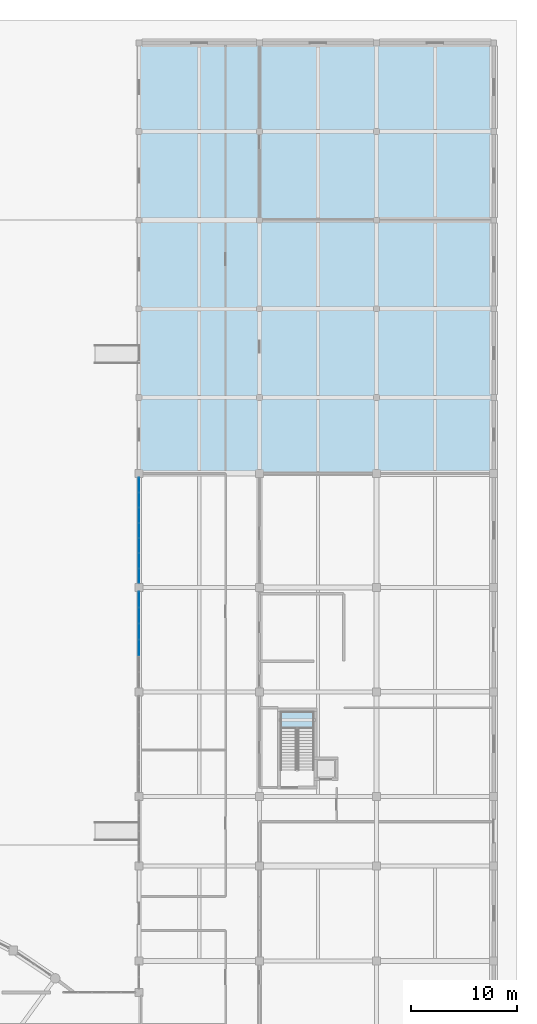
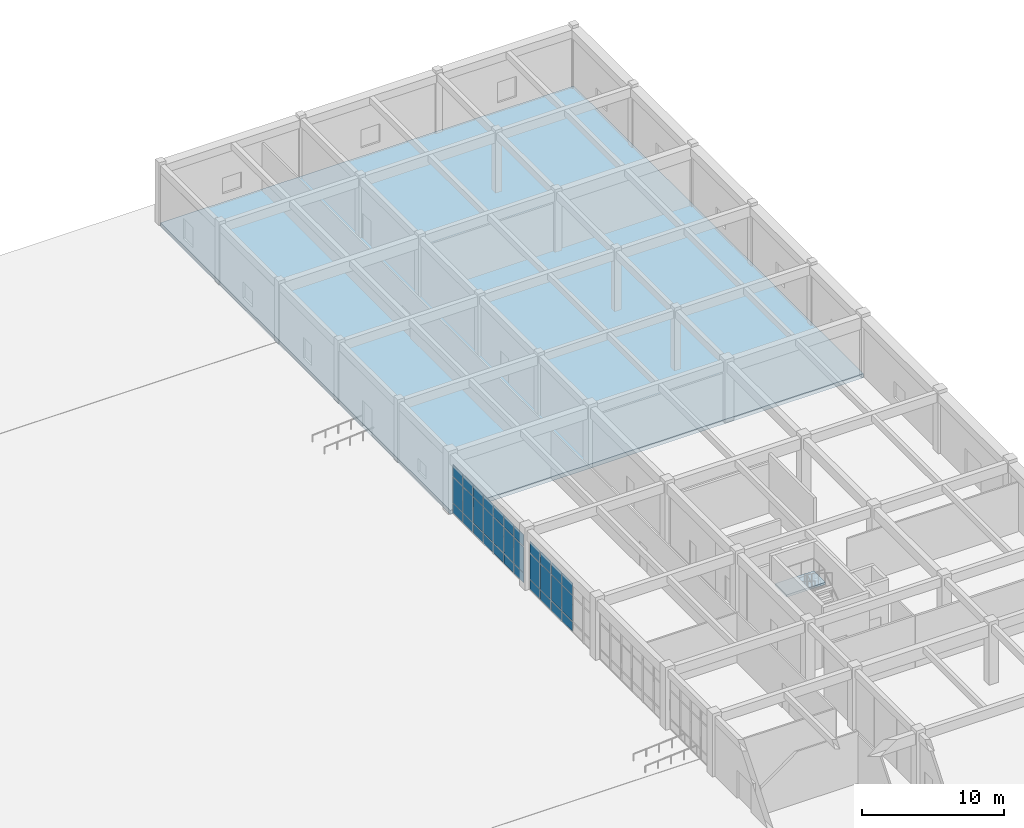
# One storey, part 46 of 70: 33 plates, 2 slabs, 3 elements without a shape of their own.
"""IFC4 building model written with IfcOpenShell, lengths in metres."""

from ifc_helpers import new_model, si_unit, direction, frame, origin, origin_2d, place, context, subcontext, project, spatial, polyline, rectangle, outline, extrude, material, layer, layer_set, type_object, element, aggregate, save


model = new_model("IFC4")

# Units and contexts
model_context = context("Model", 3, precision=1e-05, world=origin(), true_north=direction((0.0, 1.0)))
body_context = subcontext(model_context, "Body", "Model", "MODEL_VIEW")
ifc_project = project(units=[si_unit("LENGTHUNIT", "METRE"), si_unit("AREAUNIT", "SQUARE_METRE"), si_unit("VOLUMEUNIT", "CUBIC_METRE"), si_unit("PLANEANGLEUNIT", "RADIAN"), si_unit("MASSUNIT", "GRAM", prefix="KILO")], contexts=[model_context])

# Site, building, storey
site_placement = place(None, origin())
site = spatial("IfcSite", under=ifc_project, at=site_placement, CompositionType="ELEMENT")
building_placement = place(site_placement, origin())
building = spatial("IfcBuilding", under=site, at=building_placement, Name="Miralva Faculty of Natural Sciences", CompositionType="ELEMENT")
storey_placement = place(building_placement, origin())
storey = spatial("IfcBuildingStorey", under=building, at=storey_placement, Name="L00", CompositionType="ELEMENT", Elevation=0.0)

# Curtain wall, plates
ifc_material_1 = material(Name="Laminated solar-control glass", Category="glass")
ifc_layer_1 = layer(ifc_material_1, 0.179931640625, Name="CW-COM-L00")
ifc_layer_set_1 = layer_set([ifc_layer_1], Name="Laminated solar-control glass")
curtain_wall_type = type_object("IfcCurtainWallType", Name="CW-COM-L00", PredefinedType="USERDEFINED", material=ifc_layer_set_1)
curtain_wall_1_placement = place(storey_placement, origin())
curtain_wall_1 = element("IfcCurtainWall", 1, at=curtain_wall_1_placement, inside=storey, type_object=curtain_wall_type, Name="Curtain wall CW-09 L00-259", ObjectType="UNITISED CURTAIN WALL", PredefinedType="USERDEFINED")
ifc_layer_2 = layer(ifc_material_1, 0.028076171875, Name="PNL-P01")
ifc_layer_set_2 = layer_set([ifc_layer_2], Name="Laminated solar-control glass")
plate_type = type_object("IfcPlateType", Name="PNL-P01", PredefinedType="CURTAIN_PANEL", material=ifc_layer_set_2)
plate_1_placement = place(storey_placement, frame((133.800048828125, 59.685791015625, 0.06005859375), z_axis=(0.0, 0.0, 1.0), x_axis=(0.0, 1.0, 0.0)))
plate_1 = element("IfcPlate", 2, at=plate_1_placement, type_object=plate_type, Name="CW-09 panel 3.1", PredefinedType="CURTAIN_PANEL", context=body_context, shape_type="SweptSolid", body=[
    extrude(rectangle(XDim=1.46826171875, YDim=0.028076171875, at=origin_2d()), origin(), (0.0, 0.0, 1.0), 0.81005859375),
])
plate_2_placement = place(storey_placement, frame((133.800048828125, 59.685791015625, 0.929931640625), z_axis=(0.0, 0.0, 1.0), x_axis=(0.0, 1.0, 0.0)))
plate_2 = element("IfcPlate", 3, at=plate_2_placement, type_object=plate_type, Name="CW-09 panel 3.2", PredefinedType="CURTAIN_PANEL", context=body_context, shape_type="SweptSolid", body=[
    extrude(rectangle(XDim=1.46826171875, YDim=0.028076171875, at=origin_2d()), origin(), (0.0, 0.0, 1.0), 2.205078125),
])
plate_3_placement = place(storey_placement, frame((133.800048828125, 59.685791015625, 3.19482421875), z_axis=(0.0, 0.0, 1.0), x_axis=(0.0, 1.0, 0.0)))
plate_3 = element("IfcPlate", 4, at=plate_3_placement, type_object=plate_type, Name="CW-09 panel 3.3", PredefinedType="CURTAIN_PANEL", context=body_context, shape_type="SweptSolid", body=[
    extrude(rectangle(XDim=1.46826171875, YDim=0.028076171875, at=origin_2d()), origin(), (0.0, 0.0, 1.0), 1.010009765625),
])
plate_4_placement = place(storey_placement, frame((133.800048828125, 61.214111328125, 0.06005859375), z_axis=(0.0, 0.0, 1.0), x_axis=(0.0, 1.0, 0.0)))
plate_4 = element("IfcPlate", 5, at=plate_4_placement, type_object=plate_type, Name="CW-09 panel 4.1", PredefinedType="CURTAIN_PANEL", context=body_context, shape_type="SweptSolid", body=[
    extrude(rectangle(XDim=1.46826171875, YDim=0.028076171875, at=origin_2d()), origin(), (0.0, 0.0, 1.0), 0.81005859375),
])
plate_5_placement = place(storey_placement, frame((133.800048828125, 61.214111328125, 0.929931640625), z_axis=(0.0, 0.0, 1.0), x_axis=(0.0, 1.0, 0.0)))
plate_5 = element("IfcPlate", 6, at=plate_5_placement, type_object=plate_type, Name="CW-09 panel 4.2", PredefinedType="CURTAIN_PANEL", context=body_context, shape_type="SweptSolid", body=[
    extrude(rectangle(XDim=1.46826171875, YDim=0.028076171875, at=origin_2d()), origin(), (0.0, 0.0, 1.0), 2.205078125),
])
plate_6_placement = place(storey_placement, frame((133.800048828125, 61.214111328125, 3.19482421875), z_axis=(0.0, 0.0, 1.0), x_axis=(0.0, 1.0, 0.0)))
plate_6 = element("IfcPlate", 7, at=plate_6_placement, type_object=plate_type, Name="CW-09 panel 4.3", PredefinedType="CURTAIN_PANEL", context=body_context, shape_type="SweptSolid", body=[
    extrude(rectangle(XDim=1.46826171875, YDim=0.028076171875, at=origin_2d()), origin(), (0.0, 0.0, 1.0), 1.010009765625),
])
plate_7_placement = place(storey_placement, frame((133.800048828125, 62.742431640625, 0.06005859375), z_axis=(0.0, 0.0, 1.0), x_axis=(0.0, 1.0, 0.0)))
plate_7 = element("IfcPlate", 8, at=plate_7_placement, type_object=plate_type, Name="CW-09 panel 5.1", PredefinedType="CURTAIN_PANEL", context=body_context, shape_type="SweptSolid", body=[
    extrude(rectangle(XDim=1.46826171875, YDim=0.028076171875, at=origin_2d()), origin(), (0.0, 0.0, 1.0), 0.81005859375),
])
plate_8_placement = place(storey_placement, frame((133.800048828125, 62.742431640625, 0.929931640625), z_axis=(0.0, 0.0, 1.0), x_axis=(0.0, 1.0, 0.0)))
plate_8 = element("IfcPlate", 9, at=plate_8_placement, type_object=plate_type, Name="CW-09 panel 5.2", PredefinedType="CURTAIN_PANEL", context=body_context, shape_type="SweptSolid", body=[
    extrude(rectangle(XDim=1.46826171875, YDim=0.028076171875, at=origin_2d()), origin(), (0.0, 0.0, 1.0), 2.205078125),
])
plate_9_placement = place(storey_placement, frame((133.800048828125, 62.742431640625, 3.19482421875), z_axis=(0.0, 0.0, 1.0), x_axis=(0.0, 1.0, 0.0)))
plate_9 = element("IfcPlate", 10, at=plate_9_placement, type_object=plate_type, Name="CW-09 panel 5.3", PredefinedType="CURTAIN_PANEL", context=body_context, shape_type="SweptSolid", body=[
    extrude(rectangle(XDim=1.46826171875, YDim=0.028076171875, at=origin_2d()), origin(), (0.0, 0.0, 1.0), 1.010009765625),
])
plate_10_placement = place(storey_placement, frame((133.800048828125, 64.255859375, 0.06005859375), z_axis=(0.0, 0.0, 1.0), x_axis=(0.0, 1.0, 0.0)))
plate_10 = element("IfcPlate", 11, at=plate_10_placement, type_object=plate_type, Name="CW-09 panel 6.1", PredefinedType="CURTAIN_PANEL", context=body_context, shape_type="SweptSolid", body=[
    extrude(rectangle(XDim=1.438232421875, YDim=0.028076171875, at=origin_2d()), origin(), (0.0, 0.0, 1.0), 0.81005859375),
])
plate_11_placement = place(storey_placement, frame((133.800048828125, 64.255859375, 0.929931640625), z_axis=(0.0, 0.0, 1.0), x_axis=(0.0, 1.0, 0.0)))
plate_11 = element("IfcPlate", 12, at=plate_11_placement, type_object=plate_type, Name="CW-09 panel 6.2", PredefinedType="CURTAIN_PANEL", context=body_context, shape_type="SweptSolid", body=[
    extrude(rectangle(XDim=1.438232421875, YDim=0.028076171875, at=origin_2d()), origin(), (0.0, 0.0, 1.0), 2.205078125),
])
plate_12_placement = place(storey_placement, frame((133.800048828125, 64.255859375, 3.19482421875), z_axis=(0.0, 0.0, 1.0), x_axis=(0.0, 1.0, 0.0)))
plate_12 = element("IfcPlate", 13, at=plate_12_placement, type_object=plate_type, Name="CW-09 panel 6.3", PredefinedType="CURTAIN_PANEL", context=body_context, shape_type="SweptSolid", body=[
    extrude(rectangle(XDim=1.438232421875, YDim=0.028076171875, at=origin_2d()), origin(), (0.0, 0.0, 1.0), 1.010009765625),
])
aggregate(curtain_wall_1, [plate_1, plate_2, plate_3, plate_4, plate_5, plate_6, plate_7, plate_8, plate_9, plate_10, plate_11, plate_12])

curtain_wall_2_placement = place(storey_placement, origin())
curtain_wall_2 = element("IfcCurtainWall", 14, at=curtain_wall_2_placement, inside=storey, type_object=curtain_wall_type, Name="Curtain wall CW-09 L00-260", ObjectType="UNITISED CURTAIN WALL", PredefinedType="USERDEFINED")
plate_13_placement = place(storey_placement, frame((133.800048828125, 66.499267578125, 0.06005859375), z_axis=(0.0, 0.0, 1.0), x_axis=(0.0, 1.0, 0.0)))
plate_13 = element("IfcPlate", 15, at=plate_13_placement, type_object=plate_type, Name="CW-09 panel 1.1", PredefinedType="CURTAIN_PANEL", context=body_context, shape_type="SweptSolid", body=[
    extrude(rectangle(XDim=1.3486328125, YDim=0.028076171875, at=origin_2d()), origin(), (0.0, 0.0, 1.0), 0.81005859375),
])
plate_14_placement = place(storey_placement, frame((133.800048828125, 66.499267578125, 0.929931640625), z_axis=(0.0, 0.0, 1.0), x_axis=(0.0, 1.0, 0.0)))
plate_14 = element("IfcPlate", 16, at=plate_14_placement, type_object=plate_type, Name="CW-09 panel 1.2", PredefinedType="CURTAIN_PANEL", context=body_context, shape_type="SweptSolid", body=[
    extrude(rectangle(XDim=1.3486328125, YDim=0.028076171875, at=origin_2d()), origin(), (0.0, 0.0, 1.0), 2.205078125),
])
plate_15_placement = place(storey_placement, frame((133.800048828125, 66.499267578125, 3.19482421875), z_axis=(0.0, 0.0, 1.0), x_axis=(0.0, 1.0, 0.0)))
plate_15 = element("IfcPlate", 17, at=plate_15_placement, type_object=plate_type, Name="CW-09 panel 1.3", PredefinedType="CURTAIN_PANEL", context=body_context, shape_type="SweptSolid", body=[
    extrude(rectangle(XDim=1.3486328125, YDim=0.028076171875, at=origin_2d()), origin(), (0.0, 0.0, 1.0), 1.010009765625),
])
plate_16_placement = place(storey_placement, frame((133.800048828125, 67.9228515625, 0.06005859375), z_axis=(0.0, 0.0, 1.0), x_axis=(0.0, 1.0, 0.0)))
plate_16 = element("IfcPlate", 18, at=plate_16_placement, type_object=plate_type, Name="CW-09 panel 2.1", PredefinedType="CURTAIN_PANEL", context=body_context, shape_type="SweptSolid", body=[
    extrude(rectangle(XDim=1.378662109375, YDim=0.028076171875, at=origin_2d()), origin(), (0.0, 0.0, 1.0), 0.81005859375),
])
plate_17_placement = place(storey_placement, frame((133.800048828125, 67.9228515625, 0.929931640625), z_axis=(0.0, 0.0, 1.0), x_axis=(0.0, 1.0, 0.0)))
plate_17 = element("IfcPlate", 19, at=plate_17_placement, type_object=plate_type, Name="CW-09 panel 2.2", PredefinedType="CURTAIN_PANEL", context=body_context, shape_type="SweptSolid", body=[
    extrude(rectangle(XDim=1.378662109375, YDim=0.028076171875, at=origin_2d()), origin(), (0.0, 0.0, 1.0), 2.205078125),
])
plate_18_placement = place(storey_placement, frame((133.800048828125, 67.9228515625, 3.19482421875), z_axis=(0.0, 0.0, 1.0), x_axis=(0.0, 1.0, 0.0)))
plate_18 = element("IfcPlate", 20, at=plate_18_placement, type_object=plate_type, Name="CW-09 panel 2.3", PredefinedType="CURTAIN_PANEL", context=body_context, shape_type="SweptSolid", body=[
    extrude(rectangle(XDim=1.378662109375, YDim=0.028076171875, at=origin_2d()), origin(), (0.0, 0.0, 1.0), 1.010009765625),
])
plate_19_placement = place(storey_placement, frame((133.800048828125, 69.361328125, 0.06005859375), z_axis=(0.0, 0.0, 1.0), x_axis=(0.0, 1.0, 0.0)))
plate_19 = element("IfcPlate", 21, at=plate_19_placement, type_object=plate_type, Name="CW-09 panel 3.1", PredefinedType="CURTAIN_PANEL", context=body_context, shape_type="SweptSolid", body=[
    extrude(rectangle(XDim=1.378662109375, YDim=0.028076171875, at=origin_2d()), origin(), (0.0, 0.0, 1.0), 0.81005859375),
])
plate_20_placement = place(storey_placement, frame((133.800048828125, 69.361328125, 0.929931640625), z_axis=(0.0, 0.0, 1.0), x_axis=(0.0, 1.0, 0.0)))
plate_20 = element("IfcPlate", 22, at=plate_20_placement, type_object=plate_type, Name="CW-09 panel 3.2", PredefinedType="CURTAIN_PANEL", context=body_context, shape_type="SweptSolid", body=[
    extrude(rectangle(XDim=1.378662109375, YDim=0.028076171875, at=origin_2d()), origin(), (0.0, 0.0, 1.0), 2.205078125),
])
plate_21_placement = place(storey_placement, frame((133.800048828125, 69.361328125, 3.19482421875), z_axis=(0.0, 0.0, 1.0), x_axis=(0.0, 1.0, 0.0)))
plate_21 = element("IfcPlate", 23, at=plate_21_placement, type_object=plate_type, Name="CW-09 panel 3.3", PredefinedType="CURTAIN_PANEL", context=body_context, shape_type="SweptSolid", body=[
    extrude(rectangle(XDim=1.378662109375, YDim=0.028076171875, at=origin_2d()), origin(), (0.0, 0.0, 1.0), 1.010009765625),
])
plate_22_placement = place(storey_placement, frame((133.800048828125, 70.800048828125, 0.06005859375), z_axis=(0.0, 0.0, 1.0), x_axis=(0.0, 1.0, 0.0)))
plate_22 = element("IfcPlate", 24, at=plate_22_placement, type_object=plate_type, Name="CW-09 panel 4.1", PredefinedType="CURTAIN_PANEL", context=body_context, shape_type="SweptSolid", body=[
    extrude(rectangle(XDim=1.378662109375, YDim=0.028076171875, at=origin_2d()), origin(), (0.0, 0.0, 1.0), 0.81005859375),
])
plate_23_placement = place(storey_placement, frame((133.800048828125, 70.800048828125, 0.929931640625), z_axis=(0.0, 0.0, 1.0), x_axis=(0.0, 1.0, 0.0)))
plate_23 = element("IfcPlate", 25, at=plate_23_placement, type_object=plate_type, Name="CW-09 panel 4.2", PredefinedType="CURTAIN_PANEL", context=body_context, shape_type="SweptSolid", body=[
    extrude(rectangle(XDim=1.378662109375, YDim=0.028076171875, at=origin_2d()), origin(), (0.0, 0.0, 1.0), 2.205078125),
])
plate_24_placement = place(storey_placement, frame((133.800048828125, 70.800048828125, 3.19482421875), z_axis=(0.0, 0.0, 1.0), x_axis=(0.0, 1.0, 0.0)))
plate_24 = element("IfcPlate", 26, at=plate_24_placement, type_object=plate_type, Name="CW-09 panel 4.3", PredefinedType="CURTAIN_PANEL", context=body_context, shape_type="SweptSolid", body=[
    extrude(rectangle(XDim=1.378662109375, YDim=0.028076171875, at=origin_2d()), origin(), (0.0, 0.0, 1.0), 1.010009765625),
])
plate_25_placement = place(storey_placement, frame((133.800048828125, 72.238525390625, 0.06005859375), z_axis=(0.0, 0.0, 1.0), x_axis=(0.0, 1.0, 0.0)))
plate_25 = element("IfcPlate", 27, at=plate_25_placement, type_object=plate_type, Name="CW-09 panel 5.1", PredefinedType="CURTAIN_PANEL", context=body_context, shape_type="SweptSolid", body=[
    extrude(rectangle(XDim=1.378662109375, YDim=0.028076171875, at=origin_2d()), origin(), (0.0, 0.0, 1.0), 0.81005859375),
])
plate_26_placement = place(storey_placement, frame((133.800048828125, 72.238525390625, 0.929931640625), z_axis=(0.0, 0.0, 1.0), x_axis=(0.0, 1.0, 0.0)))
plate_26 = element("IfcPlate", 28, at=plate_26_placement, type_object=plate_type, Name="CW-09 panel 5.2", PredefinedType="CURTAIN_PANEL", context=body_context, shape_type="SweptSolid", body=[
    extrude(rectangle(XDim=1.378662109375, YDim=0.028076171875, at=origin_2d()), origin(), (0.0, 0.0, 1.0), 2.205078125),
])
plate_27_placement = place(storey_placement, frame((133.800048828125, 72.238525390625, 3.19482421875), z_axis=(0.0, 0.0, 1.0), x_axis=(0.0, 1.0, 0.0)))
plate_27 = element("IfcPlate", 29, at=plate_27_placement, type_object=plate_type, Name="CW-09 panel 5.3", PredefinedType="CURTAIN_PANEL", context=body_context, shape_type="SweptSolid", body=[
    extrude(rectangle(XDim=1.378662109375, YDim=0.028076171875, at=origin_2d()), origin(), (0.0, 0.0, 1.0), 1.010009765625),
])
plate_28_placement = place(storey_placement, frame((133.800048828125, 73.67724609375, 0.06005859375), z_axis=(0.0, 0.0, 1.0), x_axis=(0.0, 1.0, 0.0)))
plate_28 = element("IfcPlate", 30, at=plate_28_placement, type_object=plate_type, Name="CW-09 panel 6.1", PredefinedType="CURTAIN_PANEL", context=body_context, shape_type="SweptSolid", body=[
    extrude(rectangle(XDim=1.378662109375, YDim=0.028076171875, at=origin_2d()), origin(), (0.0, 0.0, 1.0), 0.81005859375),
])
plate_29_placement = place(storey_placement, frame((133.800048828125, 73.67724609375, 0.929931640625), z_axis=(0.0, 0.0, 1.0), x_axis=(0.0, 1.0, 0.0)))
plate_29 = element("IfcPlate", 31, at=plate_29_placement, type_object=plate_type, Name="CW-09 panel 6.2", PredefinedType="CURTAIN_PANEL", context=body_context, shape_type="SweptSolid", body=[
    extrude(rectangle(XDim=1.378662109375, YDim=0.028076171875, at=origin_2d()), origin(), (0.0, 0.0, 1.0), 2.205078125),
])
plate_30_placement = place(storey_placement, frame((133.800048828125, 73.67724609375, 3.19482421875), z_axis=(0.0, 0.0, 1.0), x_axis=(0.0, 1.0, 0.0)))
plate_30 = element("IfcPlate", 32, at=plate_30_placement, type_object=plate_type, Name="CW-09 panel 6.3", PredefinedType="CURTAIN_PANEL", context=body_context, shape_type="SweptSolid", body=[
    extrude(rectangle(XDim=1.378662109375, YDim=0.028076171875, at=origin_2d()), origin(), (0.0, 0.0, 1.0), 1.010009765625),
])
plate_31_placement = place(storey_placement, frame((133.800048828125, 75.100830078125, 0.06005859375), z_axis=(0.0, 0.0, 1.0), x_axis=(0.0, 1.0, 0.0)))
plate_31 = element("IfcPlate", 33, at=plate_31_placement, type_object=plate_type, Name="CW-09 panel 7.1", PredefinedType="CURTAIN_PANEL", context=body_context, shape_type="SweptSolid", body=[
    extrude(rectangle(XDim=1.3486328125, YDim=0.028076171875, at=origin_2d()), origin(), (0.0, 0.0, 1.0), 0.81005859375),
])
plate_32_placement = place(storey_placement, frame((133.800048828125, 75.100830078125, 0.929931640625), z_axis=(0.0, 0.0, 1.0), x_axis=(0.0, 1.0, 0.0)))
plate_32 = element("IfcPlate", 34, at=plate_32_placement, type_object=plate_type, Name="CW-09 panel 7.2", PredefinedType="CURTAIN_PANEL", context=body_context, shape_type="SweptSolid", body=[
    extrude(rectangle(XDim=1.3486328125, YDim=0.028076171875, at=origin_2d()), origin(), (0.0, 0.0, 1.0), 2.205078125),
])
plate_33_placement = place(storey_placement, frame((133.800048828125, 75.100830078125, 3.19482421875), z_axis=(0.0, 0.0, 1.0), x_axis=(0.0, 1.0, 0.0)))
plate_33 = element("IfcPlate", 35, at=plate_33_placement, type_object=plate_type, Name="CW-09 panel 7.3", PredefinedType="CURTAIN_PANEL", context=body_context, shape_type="SweptSolid", body=[
    extrude(rectangle(XDim=1.3486328125, YDim=0.028076171875, at=origin_2d()), origin(), (0.0, 0.0, 1.0), 1.010009765625),
])
aggregate(curtain_wall_2, [plate_13, plate_14, plate_15, plate_16, plate_17, plate_18, plate_19, plate_20, plate_21, plate_22, plate_23, plate_24, plate_25, plate_26, plate_27, plate_28, plate_29, plate_30, plate_31, plate_32, plate_33])

# Slab
ifc_material_2 = material(Name="Concrete C35/45", Category="concrete")
ifc_layer_3 = layer(ifc_material_2, 0.360107421875, Name="SL-BS02")
ifc_layer_set_3 = layer_set([ifc_layer_3], Name="Concrete C35/45")
slab_type_1 = type_object("IfcSlabType", Name="SL-BS02", PredefinedType="BASESLAB", material=ifc_layer_set_3)
slab_1_placement = place(storey_placement, frame((0.0, 0.0, -0.360107421875)))
element("IfcSlab", 36, at=slab_1_placement, inside=storey, type_object=slab_type_1, Name="V2 L00 baseslab slab", PredefinedType="BASESLAB", context=body_context, shape_type="SweptSolid", body=[
    extrude(outline(polyline([(167.39990234375, 76.199951171875), (133.800048828125, 76.199951171875), (133.800048828125, 117.0), (167.39990234375, 117.0), (167.39990234375, 76.199951171875)])), origin(), (0.0, 0.0, 1.0), 0.360107421875),
])

# Stair, slab
ifc_material_3 = material(Name="Concrete C40/50", Category="concrete")
stair_type = type_object("IfcStairType", Name="ST-CORE-540", PredefinedType="HALF_TURN_STAIR", material=ifc_material_3)
stair_placement = place(storey_placement, origin())
stair = element("IfcStair", 37, at=stair_placement, inside=storey, type_object=stair_type, Name="Exit Stair Core C4 (ST-01) L00", PredefinedType="HALF_TURN_STAIR")
ifc_layer_4 = layer(ifc_material_3, 0.18994140625, Name="SL-LD01")
ifc_layer_set_4 = layer_set([ifc_layer_4], Name="Concrete C40/50")
slab_type_2 = type_object("IfcSlabType", Name="SL-LD01", PredefinedType="LANDING", material=ifc_layer_set_4)
slab_2_placement = place(storey_placement, frame((0.0, 0.0, 2.510009765625)))
slab_2 = element("IfcSlab", 38, at=slab_2_placement, type_object=slab_type_2, Name="ST-01 landing 1", PredefinedType="LANDING", context=body_context, shape_type="SweptSolid", body=[
    extrude(outline(polyline([(150.35009765625, 52.02001953125), (150.35009765625, 53.64990234375), (147.199951171875, 53.64990234375), (147.199951171875, 52.02001953125), (150.35009765625, 52.02001953125)])), origin(), (0.0, 0.0, 1.0), 0.18994140625),
])
aggregate(stair, [slab_2])

save(model, "model.ifc")
